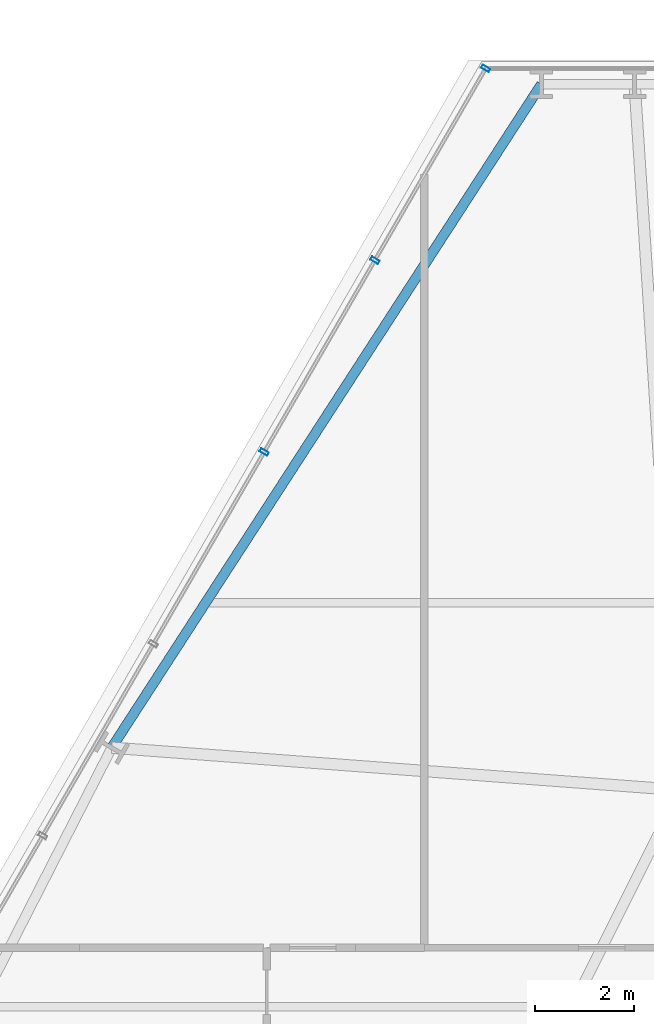
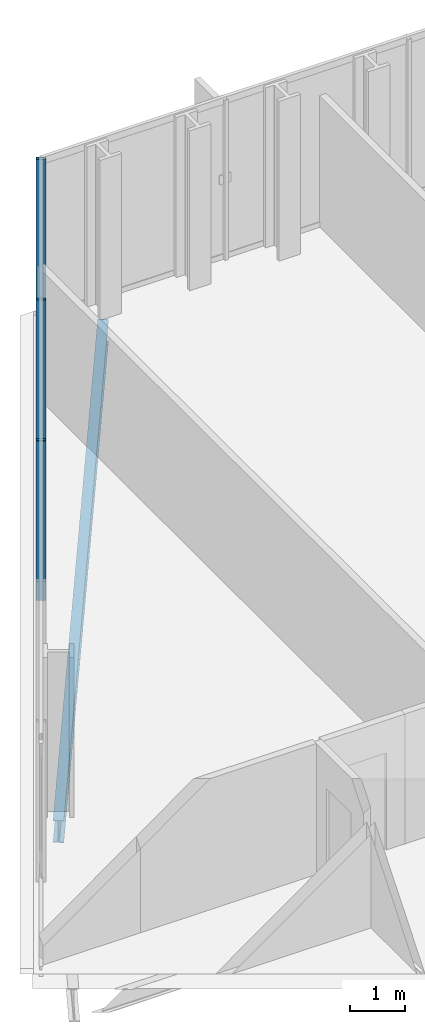
# One storey, part 21 of 32: 3 members, 1 beam, 1 element without a shape of its own.
"""IFC4 building model written with IfcOpenShell, lengths in metres."""

from ifc_helpers import new_model, si_unit, direction, frame, origin, origin_2d, place, context, subcontext, project, spatial, hollow_rectangle, i_section, extrude, material, layer, layer_set, material_profile, profile_set, type_object, element, aggregate, save


model = new_model("IFC4")

# Units and contexts
model_context = context("Model", 3, precision=1e-05, world=origin(), true_north=direction((0.0, 1.0)))
body_context = subcontext(model_context, "Body", "Model", "MODEL_VIEW")
ifc_project = project(units=[si_unit("LENGTHUNIT", "METRE"), si_unit("AREAUNIT", "SQUARE_METRE"), si_unit("VOLUMEUNIT", "CUBIC_METRE"), si_unit("PLANEANGLEUNIT", "RADIAN"), si_unit("MASSUNIT", "GRAM", prefix="KILO")], contexts=[model_context])

# Site, building, storey
site_placement = place(None, origin())
site = spatial("IfcSite", under=ifc_project, at=site_placement, CompositionType="ELEMENT")
building_placement = place(site_placement, origin())
building = spatial("IfcBuilding", under=site, at=building_placement, Name="Ndaravel Arena Tower", CompositionType="ELEMENT")
storey_placement = place(building_placement, frame((0.0, 0.0, 58.800048828125)))
storey = spatial("IfcBuildingStorey", under=building, at=storey_placement, Name="L12", CompositionType="ELEMENT", Elevation=58.800048828125)

# Beam
ifc_material_1 = material(Name="Steel S355", Category="steel")
ifc_material_profile_1 = material_profile(ifc_material_1, i_section(OverallWidth=0.199951171875, OverallDepth=0.5, WebThickness=0.01025390625, FlangeThickness=0.01611328125, FilletRadius=0.02099609375, at=origin_2d()), Name="IPE 500")
ifc_profile_set_1 = profile_set([ifc_material_profile_1], Name="Steel S355")
beam_type = type_object("IfcBeamType", Name="BM-SPAN-IPE500", PredefinedType="SPANDREL", material=ifc_profile_set_1)
beam_placement = place(storey_placement, frame((35.375, 45.52783203125, -0.469970703125), z_axis=(-0.543579319439, -0.839357804204, 0.0), x_axis=(0.839357804204, -0.543579319439, 0.0)))
element("IfcBeam", 1, at=beam_placement, inside=storey, type_object=beam_type, Name="L12 Perimeter Spandrel Beam SP-18", PredefinedType="SPANDREL", context=body_context, shape_type="SweptSolid", body=[
    extrude(i_section(OverallWidth=0.199951171875, OverallDepth=0.5, WebThickness=0.01025390625, FlangeThickness=0.01611328125, FilletRadius=0.02099609375, at=origin_2d()), origin(), (0.0, 0.0, 1.0), 16.04443359375),
])

# Curtain wall, members
ifc_material_2 = material(Name="Aluminium", Category="aluminium")
ifc_layer = layer(ifc_material_2, 0.179931640625)
ifc_layer_set = layer_set([ifc_layer], Name="Aluminium")
curtain_wall_type = type_object("IfcCurtainWallType", Name="CW-SYS-03", PredefinedType="NOTDEFINED", material=ifc_layer_set)
curtain_wall_placement = place(storey_placement, origin())
curtain_wall = element("IfcCurtainWall", 2, at=curtain_wall_placement, inside=storey, type_object=curtain_wall_type, Name="L12 Faceted Crystal Curtain Wall CW-L12-E05", PredefinedType="NOTDEFINED")
ifc_material_3 = material(Name="Aluminium", Category="aluminium")
ifc_material_profile_2 = material_profile(ifc_material_3, hollow_rectangle(XDim=0.074951171875, YDim=0.179931640625, WallThickness=0.00390625, at=origin_2d()), Name="CW MULLION 75x180x4")
ifc_profile_set_2 = profile_set([ifc_material_profile_2], Name="Aluminium")
member_type = type_object("IfcMemberType", Name="MEM-CW-MUL180", PredefinedType="MULLION", material=ifc_profile_set_2)
member_1_placement = place(storey_placement, frame((34.243896484375, 45.847900390625, 0.0), z_axis=(0.0, 0.0, 1.0), x_axis=(-0.5, -0.866025403784, 0.0)))
member_1 = element("IfcMember", 3, at=member_1_placement, type_object=member_type, Name="CW-L12-E05 Mullion 00", PredefinedType="MULLION", context=body_context, shape_type="SweptSolid", body=[
    extrude(hollow_rectangle(XDim=0.074951171875, YDim=0.179931640625, WallThickness=0.00390625, at=origin_2d()), origin(), (0.0, 0.0, 1.0), 3.579833984375),
])
member_2_placement = place(storey_placement, frame((31.99609375, 41.95458984375, 0.0), z_axis=(0.0, 0.0, 1.0), x_axis=(-0.5, -0.866025403784, 0.0)))
member_2 = element("IfcMember", 4, at=member_2_placement, type_object=member_type, Name="CW-L12-E05 Mullion 01", PredefinedType="MULLION", context=body_context, shape_type="SweptSolid", body=[
    extrude(hollow_rectangle(XDim=0.074951171875, YDim=0.179931640625, WallThickness=0.00390625, at=origin_2d()), origin(), (0.0, 0.0, 1.0), 3.579833984375),
])
member_3_placement = place(storey_placement, frame((29.748291015625, 38.06103515625, 0.0), z_axis=(0.0, 0.0, 1.0), x_axis=(-0.5, -0.866025403784, 0.0)))
member_3 = element("IfcMember", 5, at=member_3_placement, type_object=member_type, Name="CW-L12-E05 Mullion 02", PredefinedType="MULLION", context=body_context, shape_type="SweptSolid", body=[
    extrude(hollow_rectangle(XDim=0.074951171875, YDim=0.179931640625, WallThickness=0.00390625, at=origin_2d()), origin(), (0.0, 0.0, 1.0), 3.579833984375),
])
aggregate(curtain_wall, [member_1, member_2, member_3])

save(model, "model.ifc")
